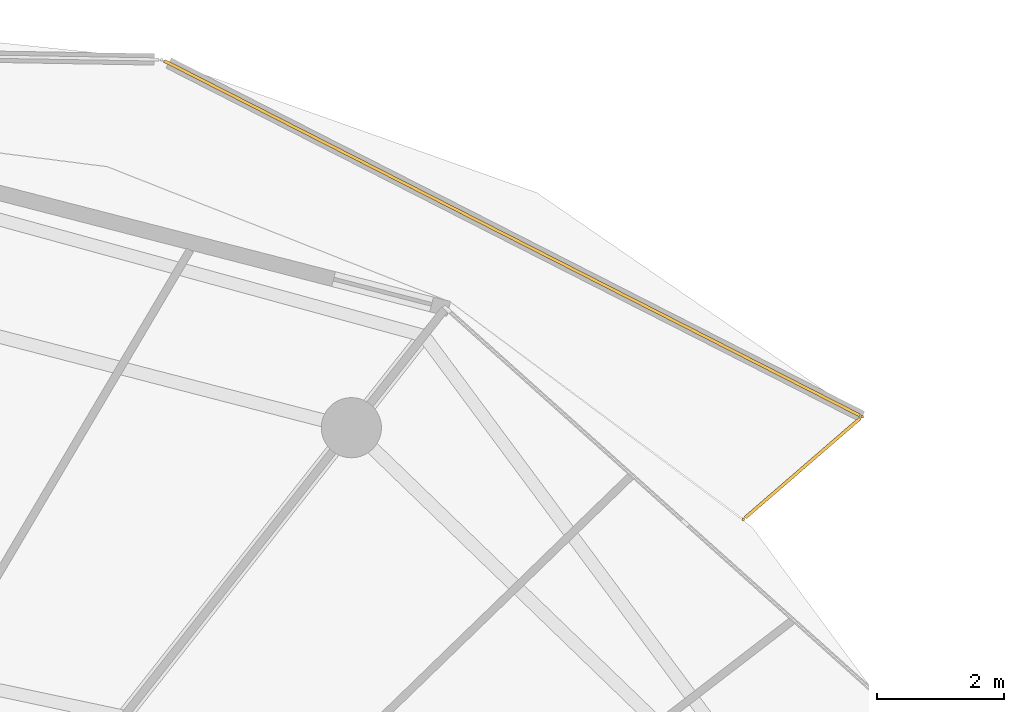
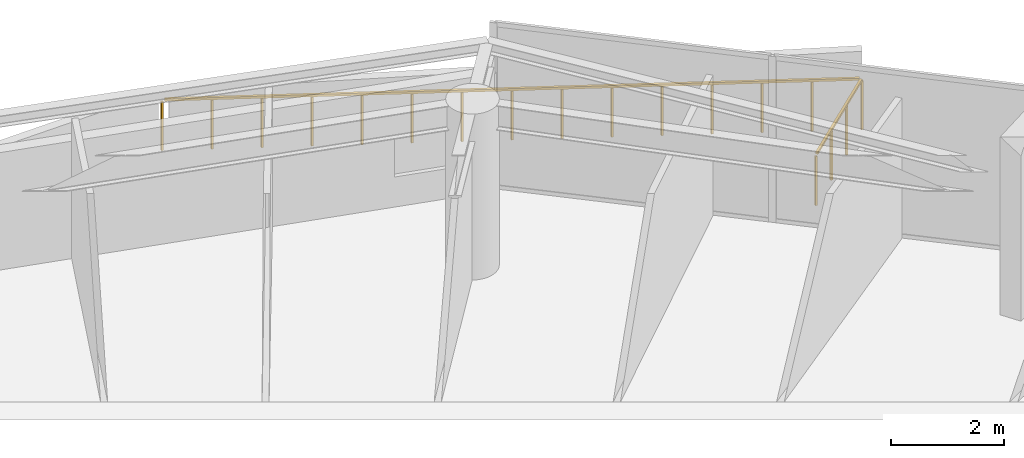
# One storey, part 30 of 30: 2 railings.
"""IFC4 building model written with IfcOpenShell, lengths in metres."""

from ifc_helpers import new_model, si_unit, direction, frame, origin, origin_2d, place, context, subcontext, project, spatial, rectangle, extrude, material, type_object, element, save


model = new_model("IFC4")

# Units and contexts
model_context = context("Model", 3, precision=1e-05, world=origin(), true_north=direction((0.0, 1.0)))
body_context = subcontext(model_context, "Body", "Model", "MODEL_VIEW")
ifc_project = project(units=[si_unit("LENGTHUNIT", "METRE"), si_unit("AREAUNIT", "SQUARE_METRE"), si_unit("VOLUMEUNIT", "CUBIC_METRE"), si_unit("PLANEANGLEUNIT", "RADIAN"), si_unit("MASSUNIT", "GRAM", prefix="KILO")], contexts=[model_context])

# Site, building, storey
site_placement = place(None, origin())
site = spatial("IfcSite", under=ifc_project, at=site_placement, CompositionType="ELEMENT")
building_placement = place(site_placement, origin())
building = spatial("IfcBuilding", under=site, at=building_placement, Name="Kazma Halo Residences", CompositionType="ELEMENT")
storey_placement = place(building_placement, frame((0.0, 0.0, 267.5)))
storey = spatial("IfcBuildingStorey", under=building, at=storey_placement, Name="L67", CompositionType="ELEMENT", Elevation=267.5)

# Railings
ifc_material = material(Name="Aluminium AW-6063 T6 Brushed Cap Rail", Category="aluminium")
railing_type = type_object("IfcRailingType", Name="RLG-BAL-CAP-1120", PredefinedType="BALUSTRADE", material=ifc_material)
railing_1_placement = place(storey_placement, frame((71.0400390625, 61.9228515625, 0.0)))
element("IfcRailing", 1, at=railing_1_placement, inside=storey, type_object=railing_type, Name="L67 NE wave balcony guard 1", PredefinedType="BALUSTRADE", context=body_context, shape_type="SweptSolid", body=[
    extrude(rectangle(XDim=0.050048828125, YDim=0.050048828125, at=origin_2d()), frame((0.0322265625, 0.02783203125, 1.09521484375), z_axis=(0.756451298214, 0.654050023645, 0.0), x_axis=(-0.654050023645, 0.756451298214, 0.0)), (0.0, 0.0, 1.0), 2.396728515625),
    extrude(rectangle(XDim=0.0400390625, YDim=0.0400390625, at=origin_2d()), origin(), (0.0, 0.0, 1.0), 1.05810546875),
    extrude(rectangle(XDim=0.0400390625, YDim=0.0400390625, at=origin_2d()), frame((0.625732421875, 0.541015625, 0.0)), (0.0, 0.0, 1.0), 1.05810546875),
    extrude(rectangle(XDim=0.0400390625, YDim=0.0400390625, at=origin_2d()), frame((1.251708984375, 1.082275390625, 0.0)), (0.0, 0.0, 1.0), 1.05810546875),
    extrude(rectangle(XDim=0.0400390625, YDim=0.0400390625, at=origin_2d()), frame((1.87744140625, 1.623291015625, 0.0)), (0.0, 0.0, 1.0), 1.05810546875),
])
railing_2_placement = place(storey_placement, frame((72.91748046875, 63.546142578125, 0.0)))
element("IfcRailing", 2, at=railing_2_placement, inside=storey, type_object=railing_type, Name="L67 NE wave balcony guard 2", PredefinedType="BALUSTRADE", context=body_context, shape_type="SweptSolid", body=[
    extrude(rectangle(XDim=0.050048828125, YDim=0.050048828125, at=origin_2d()), frame((-0.037841796875, 0.019287109375, 1.09521484375), z_axis=(-0.890888834387, 0.454221405004, 0.0), x_axis=(-0.454221405004, -0.890888834387, 0.0)), (0.0, 0.0, 1.0), 12.334716796875),
    extrude(rectangle(XDim=0.0400390625, YDim=0.0400390625, at=origin_2d()), origin(), (0.0, 0.0, 1.0), 1.05810546875),
    extrude(rectangle(XDim=0.0400390625, YDim=0.0400390625, at=origin_2d()), frame((-0.790283203125, 0.40283203125, 0.0)), (0.0, 0.0, 1.0), 1.05810546875),
    extrude(rectangle(XDim=0.0400390625, YDim=0.0400390625, at=origin_2d()), frame((-1.58056640625, 0.805908203125, 0.0)), (0.0, 0.0, 1.0), 1.05810546875),
    extrude(rectangle(XDim=0.0400390625, YDim=0.0400390625, at=origin_2d()), frame((-2.37109375, 1.208984375, 0.0)), (0.0, 0.0, 1.0), 1.05810546875),
    extrude(rectangle(XDim=0.0400390625, YDim=0.0400390625, at=origin_2d()), frame((-3.161376953125, 1.61181640625, 0.0)), (0.0, 0.0, 1.0), 1.05810546875),
    extrude(rectangle(XDim=0.0400390625, YDim=0.0400390625, at=origin_2d()), frame((-3.95166015625, 2.0146484375, 0.0)), (0.0, 0.0, 1.0), 1.05810546875),
    extrude(rectangle(XDim=0.0400390625, YDim=0.0400390625, at=origin_2d()), frame((-4.741943359375, 2.417724609375, 0.0)), (0.0, 0.0, 1.0), 1.05810546875),
    extrude(rectangle(XDim=0.0400390625, YDim=0.0400390625, at=origin_2d()), frame((-5.5322265625, 2.82080078125, 0.0)), (0.0, 0.0, 1.0), 1.05810546875),
    extrude(rectangle(XDim=0.0400390625, YDim=0.0400390625, at=origin_2d()), frame((-6.32275390625, 3.2236328125, 0.0)), (0.0, 0.0, 1.0), 1.05810546875),
    extrude(rectangle(XDim=0.0400390625, YDim=0.0400390625, at=origin_2d()), frame((-7.113037109375, 3.626708984375, 0.0)), (0.0, 0.0, 1.0), 1.05810546875),
    extrude(rectangle(XDim=0.0400390625, YDim=0.0400390625, at=origin_2d()), frame((-7.9033203125, 4.029541015625, 0.0)), (0.0, 0.0, 1.0), 1.05810546875),
    extrude(rectangle(XDim=0.0400390625, YDim=0.0400390625, at=origin_2d()), frame((-8.693603515625, 4.4326171875, 0.0)), (0.0, 0.0, 1.0), 1.05810546875),
    extrude(rectangle(XDim=0.0400390625, YDim=0.0400390625, at=origin_2d()), frame((-9.484130859375, 4.83544921875, 0.0)), (0.0, 0.0, 1.0), 1.05810546875),
    extrude(rectangle(XDim=0.0400390625, YDim=0.0400390625, at=origin_2d()), frame((-10.2744140625, 5.23828125, 0.0)), (0.0, 0.0, 1.0), 1.05810546875),
    extrude(rectangle(XDim=0.0400390625, YDim=0.0400390625, at=origin_2d()), frame((-11.064697265625, 5.641357421875, 0.0)), (0.0, 0.0, 1.0), 1.05810546875),
])

save(model, "model.ifc")
